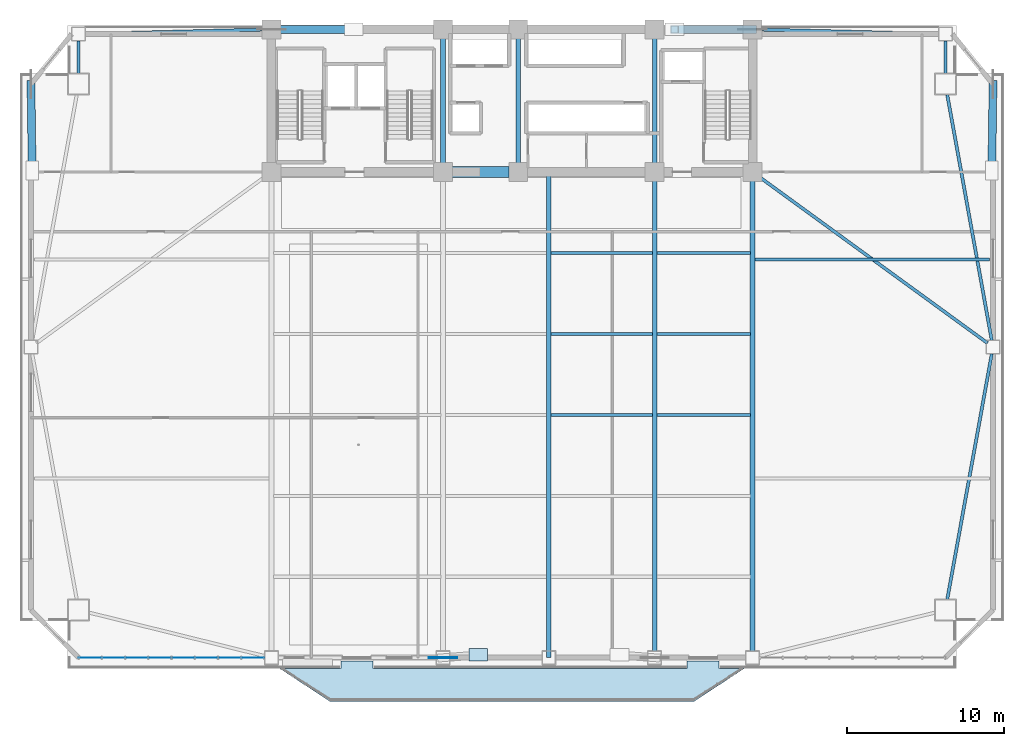
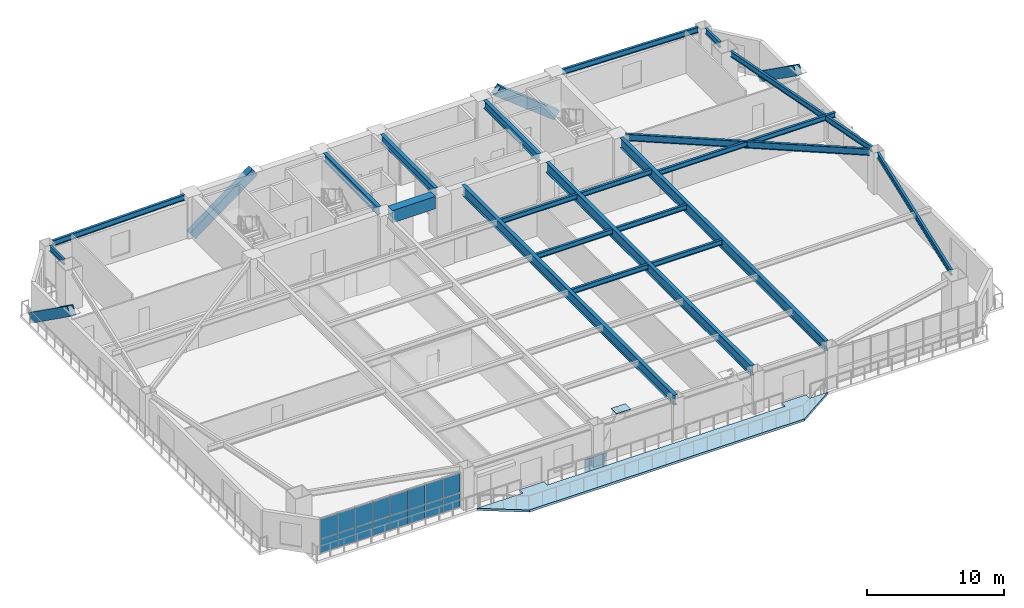
# One storey, part 6 of 15: 21 beams, 18 plates, 4 members, 1 slab, 1 element without a shape of its own.
"""IFC4 building model written with IfcOpenShell, lengths in metres."""

import ifcopenshell
import ifcopenshell.guid

model = None  # the IFC model being written
_history = None  # IfcOwnerHistory: only IFC2X3 demands one
_inside = {}  # id of a spatial element -> (the spatial element, [elements in it])
_under = {}  # id of a project, library or spatial element -> (it, [spatial elements below it])
_declared = {}  # id of a project -> (the project, [libraries it declares])
_typed = {}  # id of a type object -> (the type object, [elements of that type])
_made_of = {}  # id of a material, layer set ... -> (it, [elements and type objects made of it])


def new_model(schema):
    """Start an empty IFC model of exactly this schema.

    Asked for "IFC4X3", IfcOpenShell would pick the latest addendum, in which some entities
    have other attributes; the version numbers below select the first issue.
    IFC2X3 requires an IfcOwnerHistory on every rooted entity: one is made here for all.
    """
    global model, _history
    if schema == "IFC4X3":
        model = ifcopenshell.file(schema_version=(4, 3, 0, 0))
    else:
        model = ifcopenshell.file(schema=schema)
    _inside.clear()
    _under.clear()
    _declared.clear()
    _typed.clear()
    _made_of.clear()
    _history = None
    if model.schema == "IFC2X3":
        org = make("IfcOrganization", Name="unknown")
        user = make(
            "IfcPersonAndOrganization",
            ThePerson=make("IfcPerson", FamilyName="unknown"),
            TheOrganization=org,
        )
        app = make(
            "IfcApplication",
            ApplicationDeveloper=org,
            Version="unknown",
            ApplicationFullName="unknown",
            ApplicationIdentifier="unknown",
        )
        _history = make(
            "IfcOwnerHistory",
            OwningUser=user,
            OwningApplication=app,
            ChangeAction="ADDED",
            CreationDate=0,
        )
    return model


def make(cls, **values):
    """One entity of the class cls with the attributes given. An attribute that is None is left unset."""
    return model.create_entity(
        cls, **{name: value for name, value in values.items() if value is not None}
    )


def rooted(cls, **values):
    """An entity with a GlobalId (a new one), such as an element, a storey or a relation."""
    return make(cls, GlobalId=ifcopenshell.guid.new(), OwnerHistory=_history, **values)


def si_unit(unit_type, name, prefix=None):
    """IfcSIUnit, for example si_unit("LENGTHUNIT", "METRE", prefix="MILLI")."""
    return make("IfcSIUnit", UnitType=unit_type, Prefix=prefix, Name=name)


def assignment(units):
    """IfcUnitAssignment: the units of a project."""
    return None if units is None else make("IfcUnitAssignment", Units=units)


def point(xyz):
    """IfcCartesianPoint."""
    return None if xyz is None else make("IfcCartesianPoint", Coordinates=xyz)


def direction(xyz):
    """IfcDirection."""
    return None if xyz is None else make("IfcDirection", DirectionRatios=xyz)


def frame(location, z_axis=None, x_axis=None):
    """IfcAxis2Placement3D, a coordinate frame: its origin and axes. An axis left out is left unset."""
    return make(
        "IfcAxis2Placement3D",
        Location=point(location),
        Axis=direction(z_axis),
        RefDirection=direction(x_axis),
    )


def frame_2d(location, x_axis=None):
    """IfcAxis2Placement2D, a coordinate frame in the plane: its origin and x axis."""
    return make(
        "IfcAxis2Placement2D", Location=point(location), RefDirection=direction(x_axis)
    )


def origin():
    """The frame at (0, 0, 0) with its axes left unset."""
    return frame((0.0, 0.0, 0.0))


def origin_2d():
    """The frame at (0, 0) in the plane with its x axis left unset."""
    return frame_2d((0.0, 0.0))


def place(relative_to, where):
    """IfcLocalPlacement: puts the frame where relative to a parent placement (None: the world)."""
    return make(
        "IfcLocalPlacement", PlacementRelTo=relative_to, RelativePlacement=where
    )


def context(
    kind, dimensions, precision=None, world=None, true_north=None, identifier=None
):
    """IfcGeometricRepresentationContext, for example the 3D "Model" context."""
    return make(
        "IfcGeometricRepresentationContext",
        ContextIdentifier=identifier,
        ContextType=kind,
        CoordinateSpaceDimension=dimensions,
        Precision=precision,
        WorldCoordinateSystem=world,
        TrueNorth=true_north,
    )


def subcontext(parent, identifier, kind, view, scale=None):
    """IfcGeometricRepresentationSubContext, for example "Body" below "Model"."""
    return make(
        "IfcGeometricRepresentationSubContext",
        ContextIdentifier=identifier,
        ContextType=kind,
        ParentContext=parent,
        TargetScale=scale,
        TargetView=view,
    )


def project(units=None, contexts=None):
    """IfcProject with its units and contexts."""
    return rooted(
        "IfcProject",
        Name="project",
        RepresentationContexts=contexts,
        UnitsInContext=assignment(units),
    )


def spatial(cls, under=None, at=None, **own):
    """A site, building, storey or space (cls), placed at a placement, below another one or the project."""
    s = rooted(cls, ObjectPlacement=at, **own)
    if under is not None:
        _under.setdefault(under.id(), (under, []))[1].append(s)
    return s


def polyline(points):
    """IfcPolyline through the points."""
    return make("IfcPolyline", Points=[point(p) for p in points])


def profile(cls, at=None, kind="AREA", **sizes):
    """A parametric profile (cls). Its sizes go by their IFC names, for example OverallWidth=200.0."""
    return make(cls, ProfileType=kind, Position=at, **sizes)


def rectangle(**sizes):
    """IfcRectangleProfileDef."""
    return profile("IfcRectangleProfileDef", **sizes)


def hollow_rectangle(**sizes):
    """IfcRectangleHollowProfileDef."""
    return profile("IfcRectangleHollowProfileDef", **sizes)


def i_section(**sizes):
    """IfcIShapeProfileDef."""
    return profile("IfcIShapeProfileDef", **sizes)


def outline(outer, holes=None, kind="AREA"):
    """IfcArbitraryClosedProfileDef: a profile drawn as a closed curve; with holes, ...WithVoids."""
    if holes is None:
        return make("IfcArbitraryClosedProfileDef", ProfileType=kind, OuterCurve=outer)
    return make(
        "IfcArbitraryProfileDefWithVoids",
        ProfileType=kind,
        OuterCurve=outer,
        InnerCurves=holes,
    )


def extrude(swept, where, along, depth):
    """IfcExtrudedAreaSolid: the profile swept, set in the frame where, extruded along a direction by depth."""
    return make(
        "IfcExtrudedAreaSolid",
        SweptArea=swept,
        Position=where,
        ExtrudedDirection=direction(along),
        Depth=depth,
    )


def shape(context_of_items, identifier, shape_type, items):
    """IfcShapeRepresentation: the items that make up one representation, for example the "Body"."""
    return make(
        "IfcShapeRepresentation",
        ContextOfItems=context_of_items,
        RepresentationIdentifier=identifier,
        RepresentationType=shape_type,
        Items=items,
    )


def source(mapping_origin, context_of_items, identifier, shape_type, items):
    """IfcRepresentationMap: a shape defined once, which mapped items show again and again."""
    return make(
        "IfcRepresentationMap",
        MappingOrigin=mapping_origin,
        MappedRepresentation=shape(context_of_items, identifier, shape_type, items),
    )


def transform(
    local_origin,
    x_axis=None,
    y_axis=None,
    z_axis=None,
    scale=None,
    scale2=None,
    scale3=None,
    uniform=True,
):
    """IfcCartesianTransformationOperator3D, or its non-uniform kind. x_axis, y_axis, z_axis: its Axis1, 2, 3."""
    if uniform:
        return make(
            "IfcCartesianTransformationOperator3D",
            Axis1=direction(x_axis),
            Axis2=direction(y_axis),
            LocalOrigin=point(local_origin),
            Scale=scale,
            Axis3=direction(z_axis),
        )
    return make(
        "IfcCartesianTransformationOperator3DnonUniform",
        Axis1=direction(x_axis),
        Axis2=direction(y_axis),
        LocalOrigin=point(local_origin),
        Scale=scale,
        Axis3=direction(z_axis),
        Scale2=scale2,
        Scale3=scale3,
    )


def mapped(mapping_source, mapping_target):
    """IfcMappedItem: shows the shape of a source again, moved by a transform."""
    return make(
        "IfcMappedItem", MappingSource=mapping_source, MappingTarget=mapping_target
    )


def material(Name=None, Category=None):
    """IfcMaterial."""
    return make("IfcMaterial", Name=Name, Category=Category)


def layer(
    of_material, thickness, ventilated=None, Name=None, Category=None, Priority=None
):
    """IfcMaterialLayer: one layer of a wall or slab, of a material (None: an air gap)."""
    return make(
        "IfcMaterialLayer",
        Material=of_material,
        LayerThickness=thickness,
        IsVentilated=ventilated,
        Name=Name,
        Category=Category,
        Priority=Priority,
    )


def layer_set(layers, Name=None):
    """IfcMaterialLayerSet."""
    return make("IfcMaterialLayerSet", MaterialLayers=layers, LayerSetName=Name)


def material_profile(
    of_material, cross_section, Name=None, Category=None, Priority=None
):
    """IfcMaterialProfile: a cross section and its material."""
    return make(
        "IfcMaterialProfile",
        Name=Name,
        Material=of_material,
        Profile=cross_section,
        Priority=Priority,
        Category=Category,
    )


def profile_set(profiles, Name=None, composite=None):
    """IfcMaterialProfileSet."""
    return make(
        "IfcMaterialProfileSet",
        Name=Name,
        MaterialProfiles=profiles,
        CompositeProfile=composite,
    )


def made_of(thing, what):
    """Note that an element or type object is made of a material, layer set ...; save() writes the relation."""
    if what is not None:
        _made_of.setdefault(what.id(), (what, []))[1].append(thing)
    return thing


def type_object(cls, material=None, **own):
    """A type object (cls), such as IfcWallType, which elements share."""
    return made_of(rooted(cls, **own), material)


def element(
    cls,
    number,
    at=None,
    inside=None,
    cuts=None,
    type_object=None,
    material=None,
    context=None,
    identifier="Body",
    shape_type=None,
    held_by="IfcProductDefinitionShape",
    body=None,
    shapes=None,
    **own,
):
    """One element of the class cls, such as IfcWall. Its Tag is "e" and its number.

    at: its placement. inside: the storey or other place that contains it. cuts: it is an
    opening in that element (IfcRelVoidsElement). A single representation is given by context,
    identifier, shape_type and body (its items); several are given by shapes. held_by: the class
    of the entity that holds the representations. save() writes the other relations.
    """
    e = rooted(cls, Tag="e%d" % number, ObjectPlacement=at, **own)
    if body is not None:
        shapes = [shape(context, identifier, shape_type, body)]
    if shapes is not None:
        e.Representation = make(held_by, Representations=shapes)
    if inside is not None:
        _inside.setdefault(inside.id(), (inside, []))[1].append(e)
    if cuts is not None:
        rooted(
            "IfcRelVoidsElement", RelatingBuildingElement=cuts, RelatedOpeningElement=e
        )
    if type_object is not None:
        _typed.setdefault(type_object.id(), (type_object, []))[1].append(e)
    return made_of(e, material)


def aggregate(whole, parts):
    """IfcRelAggregates: a whole, such as a stair, and the parts it consists of."""
    return rooted("IfcRelAggregates", RelatingObject=whole, RelatedObjects=parts)


def save(model, path):
    """Write the relations noted so far, then the file.

    IfcRelAggregates (storeys below a building ...), IfcRelContainedInSpatialStructure (elements
    in a storey), IfcRelDefinesByType, IfcRelAssociatesMaterial and IfcRelDeclares: one each for
    every whole, place, type object, material and project.
    """
    for whole, parts in _under.values():
        aggregate(whole, parts)
    for where, things in _inside.values():
        rooted(
            "IfcRelContainedInSpatialStructure",
            RelatedElements=things,
            RelatingStructure=where,
        )
    for kind, things in _typed.values():
        rooted("IfcRelDefinesByType", RelatedObjects=things, RelatingType=kind)
    for what, things in _made_of.values():
        rooted("IfcRelAssociatesMaterial", RelatedObjects=things, RelatingMaterial=what)
    for by, libraries in _declared.values():
        rooted("IfcRelDeclares", RelatingContext=by, RelatedDefinitions=libraries)
    model.write(path)


model = new_model("IFC4")

# Units and contexts
model_context = context("Model", 3, precision=1e-05, world=origin(), true_north=direction((0.0, 1.0)))
body_context = subcontext(model_context, "Body", "Model", "MODEL_VIEW")
ifc_project = project(units=[si_unit("LENGTHUNIT", "METRE"), si_unit("AREAUNIT", "SQUARE_METRE"), si_unit("VOLUMEUNIT", "CUBIC_METRE"), si_unit("PLANEANGLEUNIT", "RADIAN"), si_unit("MASSUNIT", "GRAM", prefix="KILO")], contexts=[model_context])

# Site, building, storey
site_placement = place(None, origin())
site = spatial("IfcSite", under=ifc_project, at=site_placement, CompositionType="ELEMENT")
building_placement = place(site_placement, origin())
building = spatial("IfcBuilding", under=site, at=building_placement, Name="Giltprow Tower", CompositionType="ELEMENT")
storey_placement = place(building_placement, frame((0.0, 0.0, 99.699951171875)))
storey = spatial("IfcBuildingStorey", under=building, at=storey_placement, Name="L24", CompositionType="ELEMENT", Elevation=99.699951171875)

# Beams
ifc_material_1 = material(Name="Concrete C60", Category="concrete")
ifc_material_profile_1 = material_profile(ifc_material_1, rectangle(XDim=0.699951171875, YDim=1.10009765625, at=origin_2d()), Name="RC 1100x700")
ifc_profile_set_1 = profile_set([ifc_material_profile_1], Name="Concrete C60")
beam_type_1 = type_object("IfcBeamType", Name="BM-CPL-RC1100", PredefinedType="LINTEL", material=ifc_profile_set_1)
shared_shape_1 = source(origin(), body_context, "Body", "SweptSolid", [
    extrude(rectangle(XDim=0.699951171875, YDim=1.10009765625, at=origin_2d()), origin(), (0.0, 0.0, 1.0), 3.6298828125),
])
beam_1_placement = place(storey_placement, frame((31.385009765625, 37.449951171875, 3.130126953125), z_axis=(1.0, 0.0, 0.0), x_axis=(0.0, 1.0, 0.0)))
element("IfcBeam", 1, at=beam_1_placement, inside=storey, type_object=beam_type_1, Name="L24 Core Coupling Beam CB-1", PredefinedType="LINTEL", context=body_context, shape_type="MappedRepresentation", body=[
    mapped(shared_shape_1, transform((0.0, 0.0, 0.0), x_axis=(1.0, 0.0, 0.0), y_axis=(0.0, 1.0, 0.0), z_axis=(0.0, 0.0, 1.0), scale=1.0)),
])
ifc_material_2 = material(Name="Structural steel Q355B", Category="steel")
ifc_material_profile_2 = material_profile(ifc_material_2, i_section(OverallWidth=0.300048828125, OverallDepth=0.699951171875, WebThickness=0.012939453125, FlangeThickness=0.02392578125, at=origin_2d()), Name="HN 700x300x13x24")
ifc_profile_set_2 = profile_set([ifc_material_profile_2], Name="Structural steel Q355B")
beam_type_2 = type_object("IfcBeamType", Name="BM-GIRD-HN700", PredefinedType="BEAM", material=ifc_profile_set_2)
shared_shape_2 = source(origin(), body_context, "Body", "SweptSolid", [
    extrude(i_section(OverallWidth=0.300048828125, OverallDepth=0.699951171875, WebThickness=0.012939453125, FlangeThickness=0.02392578125, at=origin_2d()), origin(), (0.0, 0.0, 1.0), 7.93017578125),
])
for number, where, z_axis, x_axis, name in (
    (2, (30.800048828125, 38.034912109375, 3.330078125), (0.0, 1.0, 0.0), (-1.0, 0.0, 0.0), "L24 Core Tie Girder M1"),
    (3, (35.60009765625, 38.034912109375, 3.330078125), (0.0, 1.0, 0.0), (-1.0, 0.0, 0.0), "L24 Core Tie Girder M2"),
    (4, (44.300048828125, 38.034912109375, 3.330078125), (0.0, 1.0, 0.0), (-1.0, 0.0, 0.0), "L24 Core Tie Girder M3"),
):
    element("IfcBeam", number, at=place(storey_placement, frame(where, z_axis=z_axis, x_axis=x_axis)), inside=storey, type_object=beam_type_2, Name=name, PredefinedType="BEAM", context=body_context, shape_type="MappedRepresentation", body=[
        mapped(shared_shape_2, transform((0.0, 0.0, 0.0), x_axis=(1.0, 0.0, 0.0), y_axis=(0.0, 1.0, 0.0), z_axis=(0.0, 0.0, 1.0), scale=1.0)),
    ])
ifc_material_profile_3 = material_profile(ifc_material_2, i_section(OverallWidth=0.199951171875, OverallDepth=0.449951171875, WebThickness=0.009033203125, FlangeThickness=0.013916015625, at=origin_2d()), Name="HN 450x200x9x14")
ifc_profile_set_3 = profile_set([ifc_material_profile_3], Name="Structural steel Q355B")
beam_type_3 = type_object("IfcBeamType", Name="BM-JOIST-HN450", PredefinedType="JOIST", material=ifc_profile_set_3)
shared_shape_3 = source(origin(), body_context, "Body", "SweptSolid", [
    extrude(i_section(OverallWidth=0.199951171875, OverallDepth=0.449951171875, WebThickness=0.009033203125, FlangeThickness=0.013916015625, at=origin_2d()), origin(), (0.0, 0.0, 1.0), 6.4599609375),
])
for number, where, z_axis, x_axis, name in (
    (5, (37.695068359375, 21.9560546875, 3.455078125), (1.0, 0.0, 0.0), (0.0, 1.0, 0.0), "L24 Composite Floor Joist 3-3"),
    (6, (37.695068359375, 27.12109375, 3.455078125), (1.0, 0.0, 0.0), (0.0, 1.0, 0.0), "L24 Composite Floor Joist 4-3"),
    (7, (37.695068359375, 32.284912109375, 3.455078125), (1.0, 0.0, 0.0), (0.0, 1.0, 0.0), "L24 Composite Floor Joist 5-3"),
):
    element("IfcBeam", number, at=place(storey_placement, frame(where, z_axis=z_axis, x_axis=x_axis)), inside=storey, type_object=beam_type_3, Name=name, PredefinedType="JOIST", context=body_context, shape_type="MappedRepresentation", body=[
        mapped(shared_shape_3, transform((0.0, 0.0, 0.0), x_axis=(1.0, 0.0, 0.0), y_axis=(0.0, 1.0, 0.0), z_axis=(0.0, 0.0, 1.0), scale=1.0)),
    ])
shared_shape_4 = source(origin(), body_context, "Body", "SweptSolid", [
    extrude(i_section(OverallWidth=0.199951171875, OverallDepth=0.449951171875, WebThickness=0.009033203125, FlangeThickness=0.013916015625, at=origin_2d()), origin(), (0.0, 0.0, 1.0), 5.9599609375),
])
for number, where, z_axis, x_axis, name in (
    (8, (44.445068359375, 21.9560546875, 3.455078125), (1.0, 0.0, 0.0), (0.0, 1.0, 0.0), "L24 Composite Floor Joist 3-4"),
    (9, (44.445068359375, 27.12109375, 3.455078125), (1.0, 0.0, 0.0), (0.0, 1.0, 0.0), "L24 Composite Floor Joist 4-4"),
    (10, (44.445068359375, 32.284912109375, 3.455078125), (1.0, 0.0, 0.0), (0.0, 1.0, 0.0), "L24 Composite Floor Joist 5-4"),
):
    element("IfcBeam", number, at=place(storey_placement, frame(where, z_axis=z_axis, x_axis=x_axis)), inside=storey, type_object=beam_type_3, Name=name, PredefinedType="JOIST", context=body_context, shape_type="MappedRepresentation", body=[
        mapped(shared_shape_4, transform((0.0, 0.0, 0.0), x_axis=(1.0, 0.0, 0.0), y_axis=(0.0, 1.0, 0.0), z_axis=(0.0, 0.0, 1.0), scale=1.0)),
    ])
ifc_material_profile_4 = material_profile(ifc_material_2, i_section(OverallWidth=0.300048828125, OverallDepth=0.89990234375, WebThickness=0.01611328125, FlangeThickness=0.028076171875, at=origin_2d()), Name="HN 900x300x16x28")
ifc_profile_set_4 = profile_set([ifc_material_profile_4], Name="Structural steel Q355B")
beam_type_4 = type_object("IfcBeamType", Name="BM-GIRD-HN900", PredefinedType="BEAM", material=ifc_profile_set_4)
shared_shape_5 = source(origin(), body_context, "Body", "SweptSolid", [
    extrude(i_section(OverallWidth=0.300048828125, OverallDepth=0.89990234375, WebThickness=0.01611328125, FlangeThickness=0.028076171875, at=origin_2d()), origin(), (0.0, 0.0, 1.0), 30.988037109375),
])
beam_2_placement = place(storey_placement, frame((37.550048828125, 6.4619140625, 3.22998046875), z_axis=(0.0, 1.0, 0.0), x_axis=(-1.0, 0.0, 0.0)))
element("IfcBeam", 11, at=beam_2_placement, inside=storey, type_object=beam_type_4, Name="L24 Central Lease Girder SMID", PredefinedType="BEAM", context=body_context, shape_type="MappedRepresentation", body=[
    mapped(shared_shape_5, transform((0.0, 0.0, 0.0), x_axis=(1.0, 0.0, 0.0), y_axis=(0.0, 1.0, 0.0), z_axis=(0.0, 0.0, 1.0), scale=1.0)),
])
shared_shape_6 = source(origin(), body_context, "Body", "SweptSolid", [
    extrude(i_section(OverallWidth=0.199951171875, OverallDepth=0.449951171875, WebThickness=0.009033203125, FlangeThickness=0.013916015625, at=origin_2d()), origin(), (0.0, 0.0, 1.0), 14.975830078125),
])
beam_3_placement = place(storey_placement, frame((50.695068359375, 31.864990234375, 3.455078125), z_axis=(1.0, 0.0, 0.0), x_axis=(0.0, 1.0, 0.0)))
element("IfcBeam", 12, at=beam_3_placement, inside=storey, type_object=beam_type_3, Name="L24 East Wing Floor Joist 2", PredefinedType="JOIST", context=body_context, shape_type="MappedRepresentation", body=[
    mapped(shared_shape_6, transform((0.0, 0.0, 0.0), x_axis=(1.0, 0.0, 0.0), y_axis=(0.0, 1.0, 0.0), z_axis=(0.0, 0.0, 1.0), scale=1.0)),
])
ifc_material_profile_5 = material_profile(ifc_material_2, i_section(OverallWidth=0.199951171875, OverallDepth=0.5, WebThickness=0.010009765625, FlangeThickness=0.01611328125, at=origin_2d()), Name="HN 500x200x10x16")
ifc_profile_set_5 = profile_set([ifc_material_profile_5], Name="Structural steel Q355B")
beam_type_5 = type_object("IfcBeamType", Name="BM-SPAN-HN500", PredefinedType="SPANDREL", material=ifc_profile_set_5)
shared_shape_7 = source(origin(), body_context, "Body", "SweptSolid", [
    extrude(i_section(OverallWidth=0.199951171875, OverallDepth=0.5, WebThickness=0.010009765625, FlangeThickness=0.01611328125, at=origin_2d()), origin(), (0.0, 0.0, 1.0), 15.928955078125),
])
beam_4_placement = place(storey_placement, frame((62.969970703125, 10.178955078125, 3.429931640625), z_axis=(0.178482140898, 0.983943151498, 0.0), x_axis=(-0.983943151498, 0.178482140898, 0.0)))
element("IfcBeam", 13, at=beam_4_placement, inside=storey, type_object=beam_type_5, Name="L24 Perimeter Spandrel Beam MC_SE-E_MID", PredefinedType="SPANDREL", context=body_context, shape_type="MappedRepresentation", body=[
    mapped(shared_shape_7, transform((0.0, 0.0, 0.0), x_axis=(1.0, 0.0, 0.0), y_axis=(0.0, 1.0, 0.0), z_axis=(0.0, 0.0, 1.0), scale=1.0)),
])
shared_shape_8 = source(origin(), body_context, "Body", "SweptSolid", [
    extrude(i_section(OverallWidth=0.199951171875, OverallDepth=0.5, WebThickness=0.010009765625, FlangeThickness=0.01611328125, at=origin_2d()), origin(), (0.0, 0.0, 1.0), 15.929931640625),
])
beam_5_placement = place(storey_placement, frame((65.81298828125, 26.7080078125, 3.429931640625), z_axis=(-0.1784713749, 0.983945104333, 0.0), x_axis=(-0.983945104333, -0.1784713749, 0.0)))
element("IfcBeam", 14, at=beam_5_placement, inside=storey, type_object=beam_type_5, Name="L24 Perimeter Spandrel Beam E_MID-MC_NE", PredefinedType="SPANDREL", context=body_context, shape_type="MappedRepresentation", body=[
    mapped(shared_shape_8, transform((0.0, 0.0, 0.0), x_axis=(1.0, 0.0, 0.0), y_axis=(0.0, 1.0, 0.0), z_axis=(0.0, 0.0, 1.0), scale=1.0)),
])
shared_shape_9 = source(origin(), body_context, "Body", "SweptSolid", [
    extrude(i_section(OverallWidth=0.199951171875, OverallDepth=0.5, WebThickness=0.010009765625, FlangeThickness=0.01611328125, at=origin_2d()), origin(), (0.0, 0.0, 1.0), 2.073974609375),
])
for number, where, z_axis, x_axis, name in (
    (15, (62.847900390625, 43.740966796875, 3.429931640625), (0.0, 1.0, 0.0), (-1.0, 0.0, 0.0), "L24 Perimeter Spandrel Beam MC_NE-N_E"),
    (16, (7.552978515625, 45.81494140625, 3.429931640625), (0.0, -1.0, 0.0), (1.0, 0.0, 0.0), "L24 Perimeter Spandrel Beam N_W-MC_NW"),
):
    element("IfcBeam", number, at=place(storey_placement, frame(where, z_axis=z_axis, x_axis=x_axis)), inside=storey, type_object=beam_type_5, Name=name, PredefinedType="SPANDREL", context=body_context, shape_type="MappedRepresentation", body=[
        mapped(shared_shape_9, transform((0.0, 0.0, 0.0), x_axis=(1.0, 0.0, 0.0), y_axis=(0.0, 1.0, 0.0), z_axis=(0.0, 0.0, 1.0), scale=1.0)),
    ])
shared_shape_10 = source(origin(), body_context, "Body", "SweptSolid", [
    extrude(i_section(OverallWidth=0.199951171875, OverallDepth=0.5, WebThickness=0.010009765625, FlangeThickness=0.01611328125, at=origin_2d()), origin(), (0.0, 0.0, 1.0), 11.2802734375),
])
beam_6_placement = place(storey_placement, frame((7.988037109375, 46.260986328125, 3.429931640625), z_axis=(0.999702999385, 0.024370330749, 0.0), x_axis=(-0.024370330749, 0.999702999385, 0.0)))
element("IfcBeam", 17, at=beam_6_placement, inside=storey, type_object=beam_type_5, Name="L24 North Wing Spandrel W", PredefinedType="SPANDREL", context=body_context, shape_type="MappedRepresentation", body=[
    mapped(shared_shape_10, transform((0.0, 0.0, 0.0), x_axis=(1.0, 0.0, 0.0), y_axis=(0.0, 1.0, 0.0), z_axis=(0.0, 0.0, 1.0), scale=1.0)),
])
shared_shape_11 = source(origin(), body_context, "Body", "SweptSolid", [
    extrude(i_section(OverallWidth=0.199951171875, OverallDepth=0.5, WebThickness=0.010009765625, FlangeThickness=0.01611328125, at=origin_2d()), origin(), (0.0, 0.0, 1.0), 11.281494140625),
])
beam_7_placement = place(storey_placement, frame((51.135009765625, 46.535888671875, 3.429931640625), z_axis=(0.999703063646, -0.024367694548, 0.0), x_axis=(0.024367694548, 0.999703063646, 0.0)))
element("IfcBeam", 18, at=beam_7_placement, inside=storey, type_object=beam_type_5, Name="L24 North Wing Spandrel E", PredefinedType="SPANDREL", context=body_context, shape_type="MappedRepresentation", body=[
    mapped(shared_shape_11, transform((0.0, 0.0, 0.0), x_axis=(1.0, 0.0, 0.0), y_axis=(0.0, 1.0, 0.0), z_axis=(0.0, 0.0, 1.0), scale=1.0)),
])
shared_shape_12 = source(origin(), body_context, "Body", "SweptSolid", [
    extrude(i_section(OverallWidth=0.300048828125, OverallDepth=0.89990234375, WebThickness=0.01611328125, FlangeThickness=0.028076171875, at=origin_2d()), origin(), (0.0, 0.0, 1.0), 29.968017578125),
])
for number, where, z_axis, x_axis, name in (
    (19, (44.300048828125, 6.89697265625, 3.22998046875), (0.0, 1.0, 0.0), (-1.0, 0.0, 0.0), "L24 Primary Lease Girder S3"),
    (20, (50.550048828125, 6.89697265625, 3.22998046875), (0.0, 1.0, 0.0), (-1.0, 0.0, 0.0), "L24 Primary Lease Girder S4"),
):
    element("IfcBeam", number, at=place(storey_placement, frame(where, z_axis=z_axis, x_axis=x_axis)), inside=storey, type_object=beam_type_4, Name=name, PredefinedType="BEAM", context=body_context, shape_type="MappedRepresentation", body=[
        mapped(shared_shape_12, transform((0.0, 0.0, 0.0), x_axis=(1.0, 0.0, 0.0), y_axis=(0.0, 1.0, 0.0), z_axis=(0.0, 0.0, 1.0), scale=1.0)),
    ])
ifc_material_profile_6 = material_profile(ifc_material_2, i_section(OverallWidth=0.199951171875, OverallDepth=0.60009765625, WebThickness=0.010986328125, FlangeThickness=0.01708984375, at=origin_2d()), Name="HN 600x200x11x17")
ifc_profile_set_6 = profile_set([ifc_material_profile_6], Name="Structural steel Q355B")
beam_type_6 = type_object("IfcBeamType", Name="BM-GIRD-HN600", PredefinedType="BEAM", material=ifc_profile_set_6)
shared_shape_13 = source(origin(), body_context, "Body", "SweptSolid", [
    extrude(i_section(OverallWidth=0.199951171875, OverallDepth=0.60009765625, WebThickness=0.010986328125, FlangeThickness=0.01708984375, at=origin_2d()), origin(), (0.0, 0.0, 1.0), 17.956787109375),
])
beam_8_placement = place(storey_placement, frame((65.5390625, 26.535888671875, 3.380126953125), z_axis=(-0.808394356168, 0.588641287132, 0.0), x_axis=(-0.588641287132, -0.808394356168, 0.0)))
element("IfcBeam", 21, at=beam_8_placement, inside=storey, type_object=beam_type_6, Name="L24 East Wing Primary Girder", PredefinedType="BEAM", context=body_context, shape_type="MappedRepresentation", body=[
    mapped(shared_shape_13, transform((0.0, 0.0, 0.0), x_axis=(1.0, 0.0, 0.0), y_axis=(0.0, 1.0, 0.0), z_axis=(0.0, 0.0, 1.0), scale=1.0)),
])

# Members
ifc_material_3 = material(Name="Structural steel Q420GJC", Category="steel")
ifc_material_profile_7 = material_profile(ifc_material_3, hollow_rectangle(XDim=0.5, YDim=0.800048828125, WallThickness=0.035888671875, at=origin_2d()), Name="RHS 800x500x36")
ifc_profile_set_7 = profile_set([ifc_material_profile_7], Name="Structural steel Q420GJC")
member_type = type_object("IfcMemberType", Name="MBR-MEGA-RHS800", PredefinedType="BRACE", material=ifc_profile_set_7)
shared_shape_14 = source(origin(), body_context, "Body", "SweptSolid", [
    extrude(hollow_rectangle(XDim=0.5, YDim=0.800048828125, WallThickness=0.035888671875, at=origin_2d()), origin(), (0.0, 0.0, 1.0), 6.5400390625),
])
member_1_placement = place(storey_placement, frame((19.85009765625, 46.550048828125, -0.139892578125), z_axis=(0.802750995836, 0.0, 0.596314379068), x_axis=(0.0, 1.0, 0.0)))
element("IfcMember", 22, at=member_1_placement, inside=storey, type_object=member_type, Name="L24 Chevron Mega-Brace N-L", PredefinedType="BRACE", context=body_context, shape_type="MappedRepresentation", body=[
    mapped(shared_shape_14, transform((0.0, 0.0, 0.0), x_axis=(1.0, 0.0, 0.0), y_axis=(0.0, 1.0, 0.0), z_axis=(0.0, 0.0, 1.0), scale=1.0)),
])
shared_shape_15 = source(origin(), body_context, "Body", "SweptSolid", [
    extrude(hollow_rectangle(XDim=0.5, YDim=0.800048828125, WallThickness=0.035888671875, at=origin_2d()), origin(), (0.0, 0.0, 1.0), 6.327880859375),
])
member_2_placement = place(storey_placement, frame((50.550048828125, 46.550048828125, -0.139892578125), z_axis=(-0.787501744349, 0.0, 0.616312422921), x_axis=(0.0, -1.0, 0.0)))
element("IfcMember", 23, at=member_2_placement, inside=storey, type_object=member_type, Name="L24 Chevron Mega-Brace N-R", PredefinedType="BRACE", context=body_context, shape_type="MappedRepresentation", body=[
    mapped(shared_shape_15, transform((0.0, 0.0, 0.0), x_axis=(1.0, 0.0, 0.0), y_axis=(0.0, 1.0, 0.0), z_axis=(0.0, 0.0, 1.0), scale=1.0)),
])
shared_shape_16 = source(origin(), body_context, "Body", "SweptSolid", [
    extrude(hollow_rectangle(XDim=0.5, YDim=0.800048828125, WallThickness=0.035888671875, at=origin_2d()), origin(), (0.0, 0.0, 1.0), 6.74609375),
])
for number, where, z_axis, x_axis, name in (
    (24, (4.510009765625, 43.055908203125, 0.0), (0.011544533839, -0.815861977603, 0.578131435956), (0.999899902275, 0.014148690065, 0.0), "L24 Chevron Mega-Brace W-R"),
    (25, (65.89111328125, 43.055908203125, 0.0), (-0.011580718754, -0.815861636206, 0.578131194038), (0.999899273814, -0.014193034405, 0.0), "L24 Chevron Mega-Brace E-R"),
):
    element("IfcMember", number, at=place(storey_placement, frame(where, z_axis=z_axis, x_axis=x_axis)), inside=storey, type_object=member_type, Name=name, PredefinedType="BRACE", context=body_context, shape_type="MappedRepresentation", body=[
        mapped(shared_shape_16, transform((0.0, 0.0, 0.0), x_axis=(1.0, 0.0, 0.0), y_axis=(0.0, 1.0, 0.0), z_axis=(0.0, 0.0, 1.0), scale=1.0)),
    ])

# Slab
ifc_material_4 = material(Name="Concrete C40", Category="concrete")
ifc_layer_1 = layer(ifc_material_4, 0.199951171875, Name="Concrete C40")
ifc_layer_set_1 = layer_set([ifc_layer_1], Name="Concrete C40")
slab_type = type_object("IfcSlabType", Name="SLB-BALC-BRONZE-200", PredefinedType="FLOOR", material=ifc_layer_set_1)
slab_placement = place(storey_placement, frame((0.0, 0.0, -0.199951171875)))
element("IfcSlab", 26, at=slab_placement, inside=storey, type_object=slab_type, Name="L24 Bronze Prow Waterfront Balcony Slab", PredefinedType="FLOOR", context=body_context, shape_type="SweptSolid", body=[
    extrude(outline(polyline([(50.0, 5.761962890625), (46.800048828125, 3.662109375), (23.60009765625, 3.662109375), (20.39990234375, 5.761962890625), (24.280029296875, 5.761962890625), (24.280029296875, 6.261962890625), (26.320068359375, 6.261962890625), (26.320068359375, 5.761962890625), (46.3798828125, 5.761962890625), (46.3798828125, 6.261962890625), (48.419921875, 6.261962890625), (48.419921875, 5.761962890625), (50.0, 5.761962890625)])), origin(), (0.0, 0.0, 1.0), 0.199951171875),
])

# Plates
plate_type_1 = type_object("IfcPlateType", Name="PLT-NODE-MBN1", PredefinedType="USERDEFINED", material=ifc_material_3)
shared_shape_17 = source(origin(), body_context, "Body", "SweptSolid", [
    extrude(rectangle(XDim=1.800048828125, YDim=0.050048828125, at=origin_2d()), origin(), (0.0, 0.0, 1.0), 1.14990234375),
])
plate_1_placement = place(storey_placement, frame((30.800048828125, 6.4619140625, -0.574951171875), z_axis=(0.0, 0.0, 1.0), x_axis=(1.0, 0.0, 0.0)))
element("IfcPlate", 27, at=plate_1_placement, inside=storey, type_object=plate_type_1, Name="Mega-Brace Node L24-S-LA", ObjectType="GUSSET", PredefinedType="USERDEFINED", context=body_context, shape_type="MappedRepresentation", body=[
    mapped(shared_shape_17, transform((0.0, 0.0, 0.0), x_axis=(1.0, 0.0, 0.0), y_axis=(0.0, 1.0, 0.0), z_axis=(0.0, 0.0, 1.0), scale=1.0)),
])
plate_type_2 = type_object("IfcPlateType", Name="PLT-CAP-SEAL", PredefinedType="USERDEFINED", material=ifc_material_3)
shared_shape_18 = source(origin(), body_context, "Body", "SweptSolid", [
    extrude(rectangle(XDim=1.199951171875, YDim=0.800048828125, at=origin_2d()), origin(), (0.0, 0.0, 1.0), 0.034912109375),
])
plate_2_placement = place(storey_placement, frame((33.050048828125, 6.637939453125, 3.8828125), z_axis=(0.0, 0.0, 1.0), x_axis=(1.0, 0.0, 0.0)))
element("IfcPlate", 28, at=plate_2_placement, inside=storey, type_object=plate_type_2, Name="Mega-Brace Node L24-S-LB", ObjectType="SPLICE", PredefinedType="USERDEFINED", context=body_context, shape_type="MappedRepresentation", body=[
    mapped(shared_shape_18, transform((0.0, 0.0, 0.0), x_axis=(1.0, 0.0, 0.0), y_axis=(0.0, 1.0, 0.0), z_axis=(0.0, 0.0, 1.0), scale=1.0)),
])

# Curtain wall, plates
ifc_material_5 = material(Name="Anodized bronze", Category="metal")
ifc_layer_2 = layer(ifc_material_5, 0.179931640625, Name="Anodized bronze")
ifc_layer_set_2 = layer_set([ifc_layer_2], Name="Anodized bronze")
curtain_wall_type = type_object("IfcCurtainWallType", Name="CW-OFF-RECESSED", PredefinedType="NOTDEFINED", material=ifc_layer_set_2)
curtain_wall_placement = place(storey_placement, origin())
curtain_wall = element("IfcCurtainWall", 29, at=curtain_wall_placement, inside=storey, type_object=curtain_wall_type, Name="L24 South Recessed Curtain Wall 1", PredefinedType="NOTDEFINED")
ifc_material_6 = material(Name="Insulated glass", Category="glass")
plate_type_3 = type_object("IfcPlateType", Name="CW-PANEL-IGU-28", PredefinedType="CURTAIN_PANEL", material=ifc_material_6)
shared_shape_19 = source(origin(), body_context, "Body", "SweptSolid", [
    extrude(rectangle(XDim=1.450927734375, YDim=0.028076171875, at=origin_2d()), origin(), (0.0, 0.0, 1.0), 1.259033203125),
])
plate_3_placement = place(storey_placement, frame((8.29296875, 6.4619140625, 0.0537109375), z_axis=(0.0, 0.0, 1.0), x_axis=(1.0, 0.0, 0.0)))
plate_3 = element("IfcPlate", 30, at=plate_3_placement, type_object=plate_type_3, Name="L24 South Recessed Curtain Wall 1 Glazing Panel 1-1", PredefinedType="CURTAIN_PANEL", context=body_context, shape_type="MappedRepresentation", body=[
    mapped(shared_shape_19, transform((0.0, 0.0, 0.0), x_axis=(1.0, 0.0, 0.0), y_axis=(0.0, 1.0, 0.0), z_axis=(0.0, 0.0, 1.0), scale=1.0)),
])
plate_4_placement = place(storey_placement, frame((9.77392578125, 6.4619140625, 0.0537109375), z_axis=(0.0, 0.0, 1.0), x_axis=(1.0, 0.0, 0.0)))
plate_4 = element("IfcPlate", 31, at=plate_4_placement, type_object=plate_type_3, Name="L24 South Recessed Curtain Wall 1 Glazing Panel 2-1", PredefinedType="CURTAIN_PANEL", context=body_context, shape_type="MappedRepresentation", body=[
    mapped(shared_shape_19, transform((0.0, 0.0, 0.0), x_axis=(1.0, 0.0, 0.0), y_axis=(0.0, 1.0, 0.0), z_axis=(0.0, 0.0, 1.0), scale=1.0)),
])
plate_5_placement = place(storey_placement, frame((11.2548828125, 6.4619140625, 0.0537109375), z_axis=(0.0, 0.0, 1.0), x_axis=(1.0, 0.0, 0.0)))
plate_5 = element("IfcPlate", 32, at=plate_5_placement, type_object=plate_type_3, Name="L24 South Recessed Curtain Wall 1 Glazing Panel 3-1", PredefinedType="CURTAIN_PANEL", context=body_context, shape_type="MappedRepresentation", body=[
    mapped(shared_shape_19, transform((0.0, 0.0, 0.0), x_axis=(1.0, 0.0, 0.0), y_axis=(0.0, 1.0, 0.0), z_axis=(0.0, 0.0, 1.0), scale=1.0)),
])
plate_6_placement = place(storey_placement, frame((12.736083984375, 6.4619140625, 0.0537109375), z_axis=(0.0, 0.0, 1.0), x_axis=(1.0, 0.0, 0.0)))
plate_6 = element("IfcPlate", 33, at=plate_6_placement, type_object=plate_type_3, Name="L24 South Recessed Curtain Wall 1 Glazing Panel 4-1", PredefinedType="CURTAIN_PANEL", context=body_context, shape_type="MappedRepresentation", body=[
    mapped(shared_shape_19, transform((0.0, 0.0, 0.0), x_axis=(1.0, 0.0, 0.0), y_axis=(0.0, 1.0, 0.0), z_axis=(0.0, 0.0, 1.0), scale=1.0)),
])
plate_7_placement = place(storey_placement, frame((14.217041015625, 6.4619140625, 0.0537109375), z_axis=(0.0, 0.0, 1.0), x_axis=(1.0, 0.0, 0.0)))
plate_7 = element("IfcPlate", 34, at=plate_7_placement, type_object=plate_type_3, Name="L24 South Recessed Curtain Wall 1 Glazing Panel 5-1", PredefinedType="CURTAIN_PANEL", context=body_context, shape_type="MappedRepresentation", body=[
    mapped(shared_shape_19, transform((0.0, 0.0, 0.0), x_axis=(1.0, 0.0, 0.0), y_axis=(0.0, 1.0, 0.0), z_axis=(0.0, 0.0, 1.0), scale=1.0)),
])
plate_8_placement = place(storey_placement, frame((15.697998046875, 6.4619140625, 0.0537109375), z_axis=(0.0, 0.0, 1.0), x_axis=(1.0, 0.0, 0.0)))
plate_8 = element("IfcPlate", 35, at=plate_8_placement, type_object=plate_type_3, Name="L24 South Recessed Curtain Wall 1 Glazing Panel 6-1", PredefinedType="CURTAIN_PANEL", context=body_context, shape_type="MappedRepresentation", body=[
    mapped(shared_shape_19, transform((0.0, 0.0, 0.0), x_axis=(1.0, 0.0, 0.0), y_axis=(0.0, 1.0, 0.0), z_axis=(0.0, 0.0, 1.0), scale=1.0)),
])
plate_9_placement = place(storey_placement, frame((17.178955078125, 6.4619140625, 0.0537109375), z_axis=(0.0, 0.0, 1.0), x_axis=(1.0, 0.0, 0.0)))
plate_9 = element("IfcPlate", 36, at=plate_9_placement, type_object=plate_type_3, Name="L24 South Recessed Curtain Wall 1 Glazing Panel 7-1", PredefinedType="CURTAIN_PANEL", context=body_context, shape_type="MappedRepresentation", body=[
    mapped(shared_shape_19, transform((0.0, 0.0, 0.0), x_axis=(1.0, 0.0, 0.0), y_axis=(0.0, 1.0, 0.0), z_axis=(0.0, 0.0, 1.0), scale=1.0)),
])
plate_10_placement = place(storey_placement, frame((18.659912109375, 6.4619140625, 0.0537109375), z_axis=(0.0, 0.0, 1.0), x_axis=(1.0, 0.0, 0.0)))
plate_10 = element("IfcPlate", 37, at=plate_10_placement, type_object=plate_type_3, Name="L24 South Recessed Curtain Wall 1 Glazing Panel 8-1", PredefinedType="CURTAIN_PANEL", context=body_context, shape_type="MappedRepresentation", body=[
    mapped(shared_shape_19, transform((0.0, 0.0, 0.0), x_axis=(1.0, 0.0, 0.0), y_axis=(0.0, 1.0, 0.0), z_axis=(0.0, 0.0, 1.0), scale=1.0)),
])
shared_shape_20 = source(origin(), body_context, "Body", "SweptSolid", [
    extrude(rectangle(XDim=1.450927734375, YDim=0.028076171875, at=origin_2d()), origin(), (0.0, 0.0, 1.0), 1.764892578125),
])
plate_11_placement = place(storey_placement, frame((8.29296875, 6.4619140625, 1.3408203125), z_axis=(0.0, 0.0, 1.0), x_axis=(1.0, 0.0, 0.0)))
plate_11 = element("IfcPlate", 38, at=plate_11_placement, type_object=plate_type_3, Name="L24 South Recessed Curtain Wall 1 Glazing Panel 1-2", PredefinedType="CURTAIN_PANEL", context=body_context, shape_type="MappedRepresentation", body=[
    mapped(shared_shape_20, transform((0.0, 0.0, 0.0), x_axis=(1.0, 0.0, 0.0), y_axis=(0.0, 1.0, 0.0), z_axis=(0.0, 0.0, 1.0), scale=1.0)),
])
plate_12_placement = place(storey_placement, frame((9.77392578125, 6.4619140625, 1.3408203125), z_axis=(0.0, 0.0, 1.0), x_axis=(1.0, 0.0, 0.0)))
plate_12 = element("IfcPlate", 39, at=plate_12_placement, type_object=plate_type_3, Name="L24 South Recessed Curtain Wall 1 Glazing Panel 2-2", PredefinedType="CURTAIN_PANEL", context=body_context, shape_type="MappedRepresentation", body=[
    mapped(shared_shape_20, transform((0.0, 0.0, 0.0), x_axis=(1.0, 0.0, 0.0), y_axis=(0.0, 1.0, 0.0), z_axis=(0.0, 0.0, 1.0), scale=1.0)),
])
plate_13_placement = place(storey_placement, frame((11.2548828125, 6.4619140625, 1.3408203125), z_axis=(0.0, 0.0, 1.0), x_axis=(1.0, 0.0, 0.0)))
plate_13 = element("IfcPlate", 40, at=plate_13_placement, type_object=plate_type_3, Name="L24 South Recessed Curtain Wall 1 Glazing Panel 3-2", PredefinedType="CURTAIN_PANEL", context=body_context, shape_type="MappedRepresentation", body=[
    mapped(shared_shape_20, transform((0.0, 0.0, 0.0), x_axis=(1.0, 0.0, 0.0), y_axis=(0.0, 1.0, 0.0), z_axis=(0.0, 0.0, 1.0), scale=1.0)),
])
plate_14_placement = place(storey_placement, frame((12.736083984375, 6.4619140625, 1.3408203125), z_axis=(0.0, 0.0, 1.0), x_axis=(1.0, 0.0, 0.0)))
plate_14 = element("IfcPlate", 41, at=plate_14_placement, type_object=plate_type_3, Name="L24 South Recessed Curtain Wall 1 Glazing Panel 4-2", PredefinedType="CURTAIN_PANEL", context=body_context, shape_type="MappedRepresentation", body=[
    mapped(shared_shape_20, transform((0.0, 0.0, 0.0), x_axis=(1.0, 0.0, 0.0), y_axis=(0.0, 1.0, 0.0), z_axis=(0.0, 0.0, 1.0), scale=1.0)),
])
plate_15_placement = place(storey_placement, frame((14.217041015625, 6.4619140625, 1.3408203125), z_axis=(0.0, 0.0, 1.0), x_axis=(1.0, 0.0, 0.0)))
plate_15 = element("IfcPlate", 42, at=plate_15_placement, type_object=plate_type_3, Name="L24 South Recessed Curtain Wall 1 Glazing Panel 5-2", PredefinedType="CURTAIN_PANEL", context=body_context, shape_type="MappedRepresentation", body=[
    mapped(shared_shape_20, transform((0.0, 0.0, 0.0), x_axis=(1.0, 0.0, 0.0), y_axis=(0.0, 1.0, 0.0), z_axis=(0.0, 0.0, 1.0), scale=1.0)),
])
plate_16_placement = place(storey_placement, frame((15.697998046875, 6.4619140625, 1.3408203125), z_axis=(0.0, 0.0, 1.0), x_axis=(1.0, 0.0, 0.0)))
plate_16 = element("IfcPlate", 43, at=plate_16_placement, type_object=plate_type_3, Name="L24 South Recessed Curtain Wall 1 Glazing Panel 6-2", PredefinedType="CURTAIN_PANEL", context=body_context, shape_type="MappedRepresentation", body=[
    mapped(shared_shape_20, transform((0.0, 0.0, 0.0), x_axis=(1.0, 0.0, 0.0), y_axis=(0.0, 1.0, 0.0), z_axis=(0.0, 0.0, 1.0), scale=1.0)),
])
plate_17_placement = place(storey_placement, frame((17.178955078125, 6.4619140625, 1.3408203125), z_axis=(0.0, 0.0, 1.0), x_axis=(1.0, 0.0, 0.0)))
plate_17 = element("IfcPlate", 44, at=plate_17_placement, type_object=plate_type_3, Name="L24 South Recessed Curtain Wall 1 Glazing Panel 7-2", PredefinedType="CURTAIN_PANEL", context=body_context, shape_type="MappedRepresentation", body=[
    mapped(shared_shape_20, transform((0.0, 0.0, 0.0), x_axis=(1.0, 0.0, 0.0), y_axis=(0.0, 1.0, 0.0), z_axis=(0.0, 0.0, 1.0), scale=1.0)),
])
plate_18_placement = place(storey_placement, frame((18.659912109375, 6.4619140625, 1.3408203125), z_axis=(0.0, 0.0, 1.0), x_axis=(1.0, 0.0, 0.0)))
plate_18 = element("IfcPlate", 45, at=plate_18_placement, type_object=plate_type_3, Name="L24 South Recessed Curtain Wall 1 Glazing Panel 8-2", PredefinedType="CURTAIN_PANEL", context=body_context, shape_type="MappedRepresentation", body=[
    mapped(shared_shape_20, transform((0.0, 0.0, 0.0), x_axis=(1.0, 0.0, 0.0), y_axis=(0.0, 1.0, 0.0), z_axis=(0.0, 0.0, 1.0), scale=1.0)),
])
aggregate(curtain_wall, [plate_3, plate_11, plate_4, plate_12, plate_5, plate_13, plate_6, plate_14, plate_7, plate_15, plate_8, plate_16, plate_9, plate_17, plate_10, plate_18])

save(model, "model.ifc")
